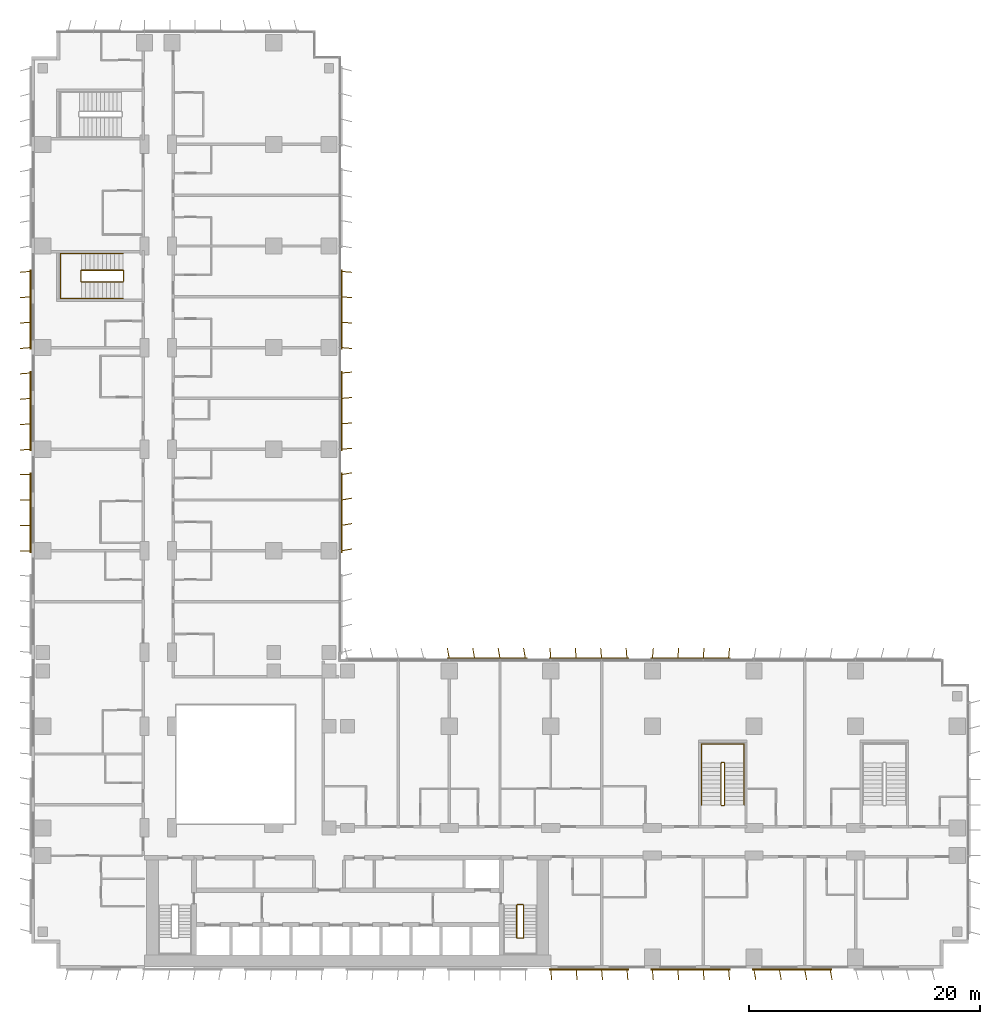
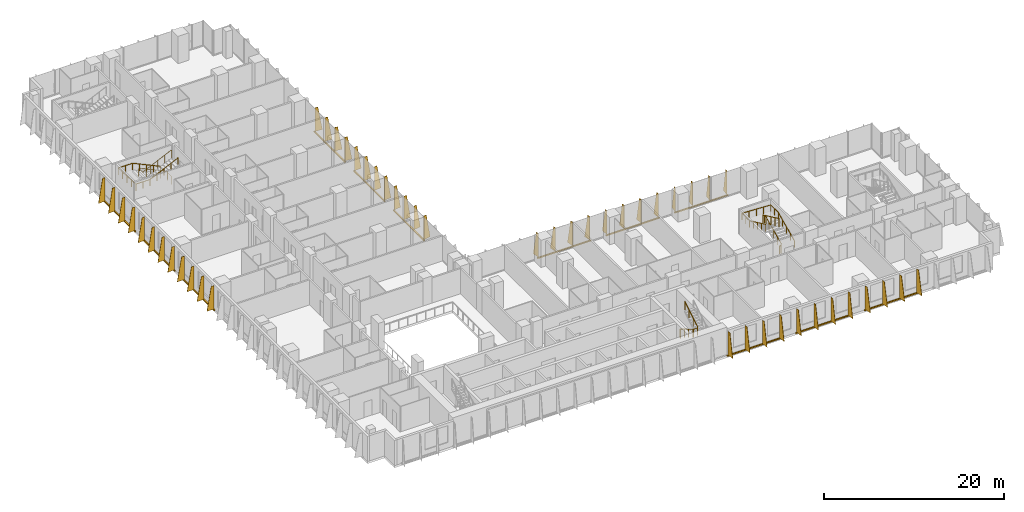
# One storey, part 22 of 24: 12 shading devices, 5 railings.
"""IFC4 building model written with IfcOpenShell, lengths in metres."""

import ifcopenshell
import ifcopenshell.guid

model = None  # the IFC model being written
_history = None  # IfcOwnerHistory: only IFC2X3 demands one
_inside = {}  # id of a spatial element -> (the spatial element, [elements in it])
_under = {}  # id of a project, library or spatial element -> (it, [spatial elements below it])
_declared = {}  # id of a project -> (the project, [libraries it declares])
_typed = {}  # id of a type object -> (the type object, [elements of that type])
_made_of = {}  # id of a material, layer set ... -> (it, [elements and type objects made of it])


def new_model(schema):
    """Start an empty IFC model of exactly this schema.

    Asked for "IFC4X3", IfcOpenShell would pick the latest addendum, in which some entities
    have other attributes; the version numbers below select the first issue.
    IFC2X3 requires an IfcOwnerHistory on every rooted entity: one is made here for all.
    """
    global model, _history
    if schema == "IFC4X3":
        model = ifcopenshell.file(schema_version=(4, 3, 0, 0))
    else:
        model = ifcopenshell.file(schema=schema)
    _inside.clear()
    _under.clear()
    _declared.clear()
    _typed.clear()
    _made_of.clear()
    _history = None
    if model.schema == "IFC2X3":
        org = make("IfcOrganization", Name="unknown")
        user = make(
            "IfcPersonAndOrganization",
            ThePerson=make("IfcPerson", FamilyName="unknown"),
            TheOrganization=org,
        )
        app = make(
            "IfcApplication",
            ApplicationDeveloper=org,
            Version="unknown",
            ApplicationFullName="unknown",
            ApplicationIdentifier="unknown",
        )
        _history = make(
            "IfcOwnerHistory",
            OwningUser=user,
            OwningApplication=app,
            ChangeAction="ADDED",
            CreationDate=0,
        )
    return model


def make(cls, **values):
    """One entity of the class cls with the attributes given. An attribute that is None is left unset."""
    return model.create_entity(
        cls, **{name: value for name, value in values.items() if value is not None}
    )


def rooted(cls, **values):
    """An entity with a GlobalId (a new one), such as an element, a storey or a relation."""
    return make(cls, GlobalId=ifcopenshell.guid.new(), OwnerHistory=_history, **values)


def si_unit(unit_type, name, prefix=None):
    """IfcSIUnit, for example si_unit("LENGTHUNIT", "METRE", prefix="MILLI")."""
    return make("IfcSIUnit", UnitType=unit_type, Prefix=prefix, Name=name)


def assignment(units):
    """IfcUnitAssignment: the units of a project."""
    return None if units is None else make("IfcUnitAssignment", Units=units)


def point(xyz):
    """IfcCartesianPoint."""
    return None if xyz is None else make("IfcCartesianPoint", Coordinates=xyz)


def direction(xyz):
    """IfcDirection."""
    return None if xyz is None else make("IfcDirection", DirectionRatios=xyz)


def frame(location, z_axis=None, x_axis=None):
    """IfcAxis2Placement3D, a coordinate frame: its origin and axes. An axis left out is left unset."""
    return make(
        "IfcAxis2Placement3D",
        Location=point(location),
        Axis=direction(z_axis),
        RefDirection=direction(x_axis),
    )


def frame_2d(location, x_axis=None):
    """IfcAxis2Placement2D, a coordinate frame in the plane: its origin and x axis."""
    return make(
        "IfcAxis2Placement2D", Location=point(location), RefDirection=direction(x_axis)
    )


def origin():
    """The frame at (0, 0, 0) with its axes left unset."""
    return frame((0.0, 0.0, 0.0))


def origin_2d():
    """The frame at (0, 0) in the plane with its x axis left unset."""
    return frame_2d((0.0, 0.0))


def place(relative_to, where):
    """IfcLocalPlacement: puts the frame where relative to a parent placement (None: the world)."""
    return make(
        "IfcLocalPlacement", PlacementRelTo=relative_to, RelativePlacement=where
    )


def context(
    kind, dimensions, precision=None, world=None, true_north=None, identifier=None
):
    """IfcGeometricRepresentationContext, for example the 3D "Model" context."""
    return make(
        "IfcGeometricRepresentationContext",
        ContextIdentifier=identifier,
        ContextType=kind,
        CoordinateSpaceDimension=dimensions,
        Precision=precision,
        WorldCoordinateSystem=world,
        TrueNorth=true_north,
    )


def subcontext(parent, identifier, kind, view, scale=None):
    """IfcGeometricRepresentationSubContext, for example "Body" below "Model"."""
    return make(
        "IfcGeometricRepresentationSubContext",
        ContextIdentifier=identifier,
        ContextType=kind,
        ParentContext=parent,
        TargetScale=scale,
        TargetView=view,
    )


def project(units=None, contexts=None):
    """IfcProject with its units and contexts."""
    return rooted(
        "IfcProject",
        Name="project",
        RepresentationContexts=contexts,
        UnitsInContext=assignment(units),
    )


def spatial(cls, under=None, at=None, **own):
    """A site, building, storey or space (cls), placed at a placement, below another one or the project."""
    s = rooted(cls, ObjectPlacement=at, **own)
    if under is not None:
        _under.setdefault(under.id(), (under, []))[1].append(s)
    return s


def polyline(points):
    """IfcPolyline through the points."""
    return make("IfcPolyline", Points=[point(p) for p in points])


def profile(cls, at=None, kind="AREA", **sizes):
    """A parametric profile (cls). Its sizes go by their IFC names, for example OverallWidth=200.0."""
    return make(cls, ProfileType=kind, Position=at, **sizes)


def rectangle(**sizes):
    """IfcRectangleProfileDef."""
    return profile("IfcRectangleProfileDef", **sizes)


def circle(**sizes):
    """IfcCircleProfileDef."""
    return profile("IfcCircleProfileDef", **sizes)


def outline(outer, holes=None, kind="AREA"):
    """IfcArbitraryClosedProfileDef: a profile drawn as a closed curve; with holes, ...WithVoids."""
    if holes is None:
        return make("IfcArbitraryClosedProfileDef", ProfileType=kind, OuterCurve=outer)
    return make(
        "IfcArbitraryProfileDefWithVoids",
        ProfileType=kind,
        OuterCurve=outer,
        InnerCurves=holes,
    )


def extrude(swept, where, along, depth):
    """IfcExtrudedAreaSolid: the profile swept, set in the frame where, extruded along a direction by depth."""
    return make(
        "IfcExtrudedAreaSolid",
        SweptArea=swept,
        Position=where,
        ExtrudedDirection=direction(along),
        Depth=depth,
    )


def shape(context_of_items, identifier, shape_type, items):
    """IfcShapeRepresentation: the items that make up one representation, for example the "Body"."""
    return make(
        "IfcShapeRepresentation",
        ContextOfItems=context_of_items,
        RepresentationIdentifier=identifier,
        RepresentationType=shape_type,
        Items=items,
    )


def source(mapping_origin, context_of_items, identifier, shape_type, items):
    """IfcRepresentationMap: a shape defined once, which mapped items show again and again."""
    return make(
        "IfcRepresentationMap",
        MappingOrigin=mapping_origin,
        MappedRepresentation=shape(context_of_items, identifier, shape_type, items),
    )


def transform(
    local_origin,
    x_axis=None,
    y_axis=None,
    z_axis=None,
    scale=None,
    scale2=None,
    scale3=None,
    uniform=True,
):
    """IfcCartesianTransformationOperator3D, or its non-uniform kind. x_axis, y_axis, z_axis: its Axis1, 2, 3."""
    if uniform:
        return make(
            "IfcCartesianTransformationOperator3D",
            Axis1=direction(x_axis),
            Axis2=direction(y_axis),
            LocalOrigin=point(local_origin),
            Scale=scale,
            Axis3=direction(z_axis),
        )
    return make(
        "IfcCartesianTransformationOperator3DnonUniform",
        Axis1=direction(x_axis),
        Axis2=direction(y_axis),
        LocalOrigin=point(local_origin),
        Scale=scale,
        Axis3=direction(z_axis),
        Scale2=scale2,
        Scale3=scale3,
    )


def mapped(mapping_source, mapping_target):
    """IfcMappedItem: shows the shape of a source again, moved by a transform."""
    return make(
        "IfcMappedItem", MappingSource=mapping_source, MappingTarget=mapping_target
    )


def material(Name=None, Category=None):
    """IfcMaterial."""
    return make("IfcMaterial", Name=Name, Category=Category)


def layer(
    of_material, thickness, ventilated=None, Name=None, Category=None, Priority=None
):
    """IfcMaterialLayer: one layer of a wall or slab, of a material (None: an air gap)."""
    return make(
        "IfcMaterialLayer",
        Material=of_material,
        LayerThickness=thickness,
        IsVentilated=ventilated,
        Name=Name,
        Category=Category,
        Priority=Priority,
    )


def layer_set(layers, Name=None):
    """IfcMaterialLayerSet."""
    return make("IfcMaterialLayerSet", MaterialLayers=layers, LayerSetName=Name)


def made_of(thing, what):
    """Note that an element or type object is made of a material, layer set ...; save() writes the relation."""
    if what is not None:
        _made_of.setdefault(what.id(), (what, []))[1].append(thing)
    return thing


def type_object(cls, material=None, **own):
    """A type object (cls), such as IfcWallType, which elements share."""
    return made_of(rooted(cls, **own), material)


def element(
    cls,
    number,
    at=None,
    inside=None,
    cuts=None,
    type_object=None,
    material=None,
    context=None,
    identifier="Body",
    shape_type=None,
    held_by="IfcProductDefinitionShape",
    body=None,
    shapes=None,
    **own,
):
    """One element of the class cls, such as IfcWall. Its Tag is "e" and its number.

    at: its placement. inside: the storey or other place that contains it. cuts: it is an
    opening in that element (IfcRelVoidsElement). A single representation is given by context,
    identifier, shape_type and body (its items); several are given by shapes. held_by: the class
    of the entity that holds the representations. save() writes the other relations.
    """
    e = rooted(cls, Tag="e%d" % number, ObjectPlacement=at, **own)
    if body is not None:
        shapes = [shape(context, identifier, shape_type, body)]
    if shapes is not None:
        e.Representation = make(held_by, Representations=shapes)
    if inside is not None:
        _inside.setdefault(inside.id(), (inside, []))[1].append(e)
    if cuts is not None:
        rooted(
            "IfcRelVoidsElement", RelatingBuildingElement=cuts, RelatedOpeningElement=e
        )
    if type_object is not None:
        _typed.setdefault(type_object.id(), (type_object, []))[1].append(e)
    return made_of(e, material)


def aggregate(whole, parts):
    """IfcRelAggregates: a whole, such as a stair, and the parts it consists of."""
    return rooted("IfcRelAggregates", RelatingObject=whole, RelatedObjects=parts)


def save(model, path):
    """Write the relations noted so far, then the file.

    IfcRelAggregates (storeys below a building ...), IfcRelContainedInSpatialStructure (elements
    in a storey), IfcRelDefinesByType, IfcRelAssociatesMaterial and IfcRelDeclares: one each for
    every whole, place, type object, material and project.
    """
    for whole, parts in _under.values():
        aggregate(whole, parts)
    for where, things in _inside.values():
        rooted(
            "IfcRelContainedInSpatialStructure",
            RelatedElements=things,
            RelatingStructure=where,
        )
    for kind, things in _typed.values():
        rooted("IfcRelDefinesByType", RelatedObjects=things, RelatingType=kind)
    for what, things in _made_of.values():
        rooted("IfcRelAssociatesMaterial", RelatedObjects=things, RelatingMaterial=what)
    for by, libraries in _declared.values():
        rooted("IfcRelDeclares", RelatingContext=by, RelatedDefinitions=libraries)
    model.write(path)


model = new_model("IFC4")

# Units and contexts
model_context = context("Model", 3, precision=1e-05, world=origin(), true_north=direction((0.0, 1.0)))
body_context = subcontext(model_context, "Body", "Model", "MODEL_VIEW")
ifc_project = project(units=[si_unit("LENGTHUNIT", "METRE"), si_unit("AREAUNIT", "SQUARE_METRE"), si_unit("VOLUMEUNIT", "CUBIC_METRE"), si_unit("PLANEANGLEUNIT", "RADIAN"), si_unit("MASSUNIT", "GRAM", prefix="KILO")], contexts=[model_context])

# Site, building, storey
site_placement = place(None, origin())
site = spatial("IfcSite", under=ifc_project, at=site_placement, CompositionType="ELEMENT")
building_placement = place(site_placement, origin())
building = spatial("IfcBuilding", under=site, at=building_placement, Name="Kemantara Hotel Tower", CompositionType="ELEMENT")
storey_placement = place(building_placement, frame((0.0, 0.0, 59.89990234375)))
storey = spatial("IfcBuildingStorey", under=building, at=storey_placement, Name="L13", CompositionType="ELEMENT", Elevation=59.89990234375)

# Railings
ifc_material_1 = material(Name="Stainless steel balustrade", Category="steel")
railing_type_1 = type_object("IfcRailingType", Name="Stair guard 1100 mm", PredefinedType="GUARDRAIL", material=ifc_material_1)
railing_1_placement = place(storey_placement, frame((42.64990234375, 5.5, 3.7001953125)))
element("IfcRailing", 1, at=railing_1_placement, inside=storey, type_object=railing_type_1, Name="L13 ST2 stair guard 1", PredefinedType="GUARDRAIL", context=body_context, shape_type="SweptSolid", body=[
    extrude(circle(Radius=0.02392578125, at=origin_2d()), frame((0.0, 0.0, 1.076171875), z_axis=(0.0, -0.857242210791, -0.514913383045), x_axis=(1.0, 0.0, 0.0)), (0.0, 0.0, 1.0), 3.266357421875),
    extrude(circle(Radius=0.02392578125, at=origin_2d()), frame((0.0, -2.800048828125, -0.60595703125), z_axis=(-0.273006030465, -0.27434429532, -0.922064485248), x_axis=(0.708833529934, -0.705375805398, 0.0)), (0.0, 0.0, 1.0), 0.182373046875),
    extrude(circle(Radius=0.02392578125, at=origin_2d()), frame((-0.0498046875, -2.85009765625, -0.77392578125), z_axis=(-1.0, 0.0, 0.0), x_axis=(0.0, -1.0, 0.0)), (0.0, 0.0, 1.0), 0.5),
    extrude(circle(Radius=0.02392578125, at=origin_2d()), frame((-0.5498046875, -2.85009765625, -0.77392578125), z_axis=(-0.707106781187, 0.707106781187, 0.0), x_axis=(-0.707106781187, -0.707106781187, 0.0)), (0.0, 0.0, 1.0), 0.07080078125),
    extrude(circle(Radius=0.02392578125, at=origin_2d()), frame((-0.599853515625, -2.800048828125, -0.77392578125), z_axis=(0.0, 0.857242210791, -0.514913383045), x_axis=(-1.0, 0.0, 0.0)), (0.0, 0.0, 1.0), 3.266357421875),
    extrude(circle(Radius=0.02392578125, at=origin_2d()), frame((-0.599853515625, 0.0, -2.4560546875), z_axis=(0.274243871929, 0.274243871929, -0.92172696468), x_axis=(-0.707106781187, 0.707106781187, 0.0)), (0.0, 0.0, 1.0), 0.1826171875),
    extrude(circle(Radius=0.02392578125, at=origin_2d()), frame((-0.5498046875, 0.050048828125, -2.6240234375), z_axis=(1.0, 0.0, 0.0), x_axis=(0.0, 1.0, 0.0)), (0.0, 0.0, 1.0), 0.5),
    extrude(circle(Radius=0.02099609375, at=origin_2d()), origin(), (0.0, 0.0, 1.0), 1.052001953125),
    extrude(circle(Radius=0.02099609375, at=origin_2d()), frame((0.0, -0.933349609375, -0.560546875)), (0.0, 0.0, 1.0), 1.052001953125),
    extrude(circle(Radius=0.02099609375, at=origin_2d()), frame((0.0, -1.86669921875, -1.121337890625)), (0.0, 0.0, 1.0), 1.052001953125),
    extrude(circle(Radius=0.02099609375, at=origin_2d()), frame((0.0, -2.800048828125, -1.681884765625)), (0.0, 0.0, 1.0), 1.052001953125),
    extrude(circle(Radius=0.02099609375, at=origin_2d()), frame((-0.0498046875, -2.85009765625, -1.85009765625)), (0.0, 0.0, 1.0), 1.052001953125),
    extrude(circle(Radius=0.02099609375, at=origin_2d()), frame((-0.5498046875, -2.85009765625, -1.85009765625)), (0.0, 0.0, 1.0), 1.052001953125),
    extrude(circle(Radius=0.02099609375, at=origin_2d()), frame((-0.599853515625, -2.800048828125, -1.85009765625)), (0.0, 0.0, 1.0), 1.052001953125),
    extrude(circle(Radius=0.02099609375, at=origin_2d()), frame((-0.599853515625, -1.86669921875, -2.41064453125)), (0.0, 0.0, 1.0), 1.052001953125),
    extrude(circle(Radius=0.02099609375, at=origin_2d()), frame((-0.599853515625, -0.933349609375, -2.971435546875)), (0.0, 0.0, 1.0), 1.052001953125),
    extrude(circle(Radius=0.02099609375, at=origin_2d()), frame((-0.599853515625, 0.0, -3.531982421875)), (0.0, 0.0, 1.0), 1.052001953125),
    extrude(circle(Radius=0.02099609375, at=origin_2d()), frame((-0.5498046875, 0.050048828125, -3.7001953125)), (0.0, 0.0, 1.0), 1.052001953125),
    extrude(circle(Radius=0.02099609375, at=origin_2d()), frame((-0.0498046875, 0.050048828125, -3.7001953125)), (0.0, 0.0, 1.0), 1.052001953125),
])
railing_2_placement = place(storey_placement, frame((59.75, 14.199951171875, 3.7001953125)))
element("IfcRailing", 2, at=railing_2_placement, inside=storey, type_object=railing_type_1, Name="L13 ST3 stair guard 1", PredefinedType="GUARDRAIL", context=body_context, shape_type="SweptSolid", body=[
    extrude(circle(Radius=0.02392578125, at=origin_2d()), frame((0.0, 0.0, 1.076171875), z_axis=(0.0, 0.906005689286, -0.423265508849), x_axis=(-1.0, 0.0, 0.0)), (0.0, 0.0, 1.0), 3.9736328125),
    extrude(circle(Radius=0.02392578125, at=origin_2d()), frame((0.0, 3.60009765625, -0.60595703125), z_axis=(0.274243871929, 0.274243871929, -0.92172696468), x_axis=(-0.707106781187, 0.707106781187, 0.0)), (0.0, 0.0, 1.0), 0.1826171875),
    extrude(circle(Radius=0.02392578125, at=origin_2d()), frame((0.050048828125, 3.650146484375, -0.77392578125), z_axis=(1.0, 0.0, 0.0), x_axis=(0.0, 1.0, 0.0)), (0.0, 0.0, 1.0), 0.199951171875),
    extrude(circle(Radius=0.02392578125, at=origin_2d()), frame((0.25, 3.650146484375, -0.77392578125), z_axis=(0.707106781187, -0.707106781187, 0.0), x_axis=(0.707106781187, 0.707106781187, 0.0)), (0.0, 0.0, 1.0), 0.07080078125),
    extrude(circle(Radius=0.02392578125, at=origin_2d()), frame((0.300048828125, 3.60009765625, -0.77392578125), z_axis=(0.0, -0.906005689286, -0.423265508849), x_axis=(1.0, 0.0, 0.0)), (0.0, 0.0, 1.0), 3.9736328125),
    extrude(circle(Radius=0.02392578125, at=origin_2d()), frame((0.300048828125, 0.0, -2.4560546875), z_axis=(-0.274243871929, -0.274243871929, -0.92172696468), x_axis=(0.707106781187, -0.707106781187, 0.0)), (0.0, 0.0, 1.0), 0.1826171875),
    extrude(circle(Radius=0.02392578125, at=origin_2d()), frame((0.25, -0.050048828125, -2.6240234375), z_axis=(-1.0, 0.0, 0.0), x_axis=(0.0, -1.0, 0.0)), (0.0, 0.0, 1.0), 0.199951171875),
    extrude(circle(Radius=0.02099609375, at=origin_2d()), origin(), (0.0, 0.0, 1.0), 1.052001953125),
    extrude(circle(Radius=0.02099609375, at=origin_2d()), frame((0.0, 0.89990234375, -0.42041015625)), (0.0, 0.0, 1.0), 1.052001953125),
    extrude(circle(Radius=0.02099609375, at=origin_2d()), frame((0.0, 1.800048828125, -0.8408203125)), (0.0, 0.0, 1.0), 1.052001953125),
    extrude(circle(Radius=0.02099609375, at=origin_2d()), frame((0.0, 2.7001953125, -1.261474609375)), (0.0, 0.0, 1.0), 1.052001953125),
    extrude(circle(Radius=0.02099609375, at=origin_2d()), frame((0.0, 3.60009765625, -1.681884765625)), (0.0, 0.0, 1.0), 1.052001953125),
    extrude(circle(Radius=0.02099609375, at=origin_2d()), frame((0.050048828125, 3.650146484375, -1.85009765625)), (0.0, 0.0, 1.0), 1.052001953125),
    extrude(circle(Radius=0.02099609375, at=origin_2d()), frame((0.25, 3.650146484375, -1.85009765625)), (0.0, 0.0, 1.0), 1.052001953125),
    extrude(circle(Radius=0.02099609375, at=origin_2d()), frame((0.300048828125, 3.60009765625, -1.85009765625)), (0.0, 0.0, 1.0), 1.052001953125),
    extrude(circle(Radius=0.02099609375, at=origin_2d()), frame((0.300048828125, 2.7001953125, -2.2705078125)), (0.0, 0.0, 1.0), 1.052001953125),
    extrude(circle(Radius=0.02099609375, at=origin_2d()), frame((0.300048828125, 1.800048828125, -2.69091796875)), (0.0, 0.0, 1.0), 1.052001953125),
    extrude(circle(Radius=0.02099609375, at=origin_2d()), frame((0.300048828125, 0.89990234375, -3.111572265625)), (0.0, 0.0, 1.0), 1.052001953125),
    extrude(circle(Radius=0.02099609375, at=origin_2d()), frame((0.300048828125, 0.0, -3.531982421875)), (0.0, 0.0, 1.0), 1.052001953125),
    extrude(circle(Radius=0.02099609375, at=origin_2d()), frame((0.25, -0.050048828125, -3.7001953125)), (0.0, 0.0, 1.0), 1.052001953125),
    extrude(circle(Radius=0.02099609375, at=origin_2d()), frame((0.050048828125, -0.050048828125, -3.7001953125)), (0.0, 0.0, 1.0), 1.052001953125),
])
railing_3_placement = place(storey_placement, frame((7.949951171875, 59.5, 3.7001953125)))
element("IfcRailing", 3, at=railing_3_placement, inside=storey, type_object=railing_type_1, Name="L13 ST4 stair guard 1", PredefinedType="GUARDRAIL", context=body_context, shape_type="SweptSolid", body=[
    extrude(circle(Radius=0.02392578125, at=origin_2d()), frame((0.0, 0.0, 1.076171875), z_axis=(-0.905994681025, 0.0, -0.423289071386), x_axis=(0.0, -1.0, 0.0)), (0.0, 0.0, 1.0), 3.973388671875),
    extrude(circle(Radius=0.02392578125, at=origin_2d()), frame((-3.599853515625, 0.0, -0.60595703125), z_axis=(-0.274243871929, 0.274243871929, -0.92172696468), x_axis=(-0.707106781187, -0.707106781187, 0.0)), (0.0, 0.0, 1.0), 0.1826171875),
    extrude(circle(Radius=0.02392578125, at=origin_2d()), frame((-3.64990234375, 0.050048828125, -0.77392578125), z_axis=(0.0, 1.0, 0.0), x_axis=(-1.0, 0.0, 0.0)), (0.0, 0.0, 1.0), 0.89990234375),
    extrude(circle(Radius=0.02392578125, at=origin_2d()), frame((-3.64990234375, 0.949951171875, -0.77392578125), z_axis=(0.707106781187, 0.707106781187, 0.0), x_axis=(-0.707106781187, 0.707106781187, 0.0)), (0.0, 0.0, 1.0), 0.07080078125),
    extrude(circle(Radius=0.02392578125, at=origin_2d()), frame((-3.599853515625, 1.0, -0.77392578125), z_axis=(0.905994681025, 0.0, -0.423289071386), x_axis=(0.0, 1.0, 0.0)), (0.0, 0.0, 1.0), 3.973388671875),
    extrude(circle(Radius=0.02392578125, at=origin_2d()), frame((0.0, 1.0, -2.4560546875), z_axis=(0.274243871929, -0.274243871929, -0.92172696468), x_axis=(0.707106781187, 0.707106781187, 0.0)), (0.0, 0.0, 1.0), 0.1826171875),
    extrude(circle(Radius=0.02392578125, at=origin_2d()), frame((0.050048828125, 0.949951171875, -2.6240234375), z_axis=(0.0, -1.0, 0.0), x_axis=(1.0, 0.0, 0.0)), (0.0, 0.0, 1.0), 0.89990234375),
    extrude(circle(Radius=0.02099609375, at=origin_2d()), origin(), (0.0, 0.0, 1.0), 1.052001953125),
    extrude(circle(Radius=0.02099609375, at=origin_2d()), frame((-0.89990234375, 0.0, -0.42041015625)), (0.0, 0.0, 1.0), 1.052001953125),
    extrude(circle(Radius=0.02099609375, at=origin_2d()), frame((-1.7998046875, 0.0, -0.8408203125)), (0.0, 0.0, 1.0), 1.052001953125),
    extrude(circle(Radius=0.02099609375, at=origin_2d()), frame((-2.699951171875, 0.0, -1.261474609375)), (0.0, 0.0, 1.0), 1.052001953125),
    extrude(circle(Radius=0.02099609375, at=origin_2d()), frame((-3.599853515625, 0.0, -1.681884765625)), (0.0, 0.0, 1.0), 1.052001953125),
    extrude(circle(Radius=0.02099609375, at=origin_2d()), frame((-3.64990234375, 0.050048828125, -1.85009765625)), (0.0, 0.0, 1.0), 1.052001953125),
    extrude(circle(Radius=0.02099609375, at=origin_2d()), frame((-3.64990234375, 0.949951171875, -1.85009765625)), (0.0, 0.0, 1.0), 1.052001953125),
    extrude(circle(Radius=0.02099609375, at=origin_2d()), frame((-3.599853515625, 1.0, -1.85009765625)), (0.0, 0.0, 1.0), 1.052001953125),
    extrude(circle(Radius=0.02099609375, at=origin_2d()), frame((-2.699951171875, 1.0, -2.2705078125)), (0.0, 0.0, 1.0), 1.052001953125),
    extrude(circle(Radius=0.02099609375, at=origin_2d()), frame((-1.7998046875, 1.0, -2.69091796875)), (0.0, 0.0, 1.0), 1.052001953125),
    extrude(circle(Radius=0.02099609375, at=origin_2d()), frame((-0.89990234375, 1.0, -3.111572265625)), (0.0, 0.0, 1.0), 1.052001953125),
    extrude(circle(Radius=0.02099609375, at=origin_2d()), frame((0.0, 1.0, -3.531982421875)), (0.0, 0.0, 1.0), 1.052001953125),
    extrude(circle(Radius=0.02099609375, at=origin_2d()), frame((0.050048828125, 0.949951171875, -3.7001953125)), (0.0, 0.0, 1.0), 1.052001953125),
    extrude(circle(Radius=0.02099609375, at=origin_2d()), frame((0.050048828125, 0.050048828125, -3.7001953125)), (0.0, 0.0, 1.0), 1.052001953125),
])
railing_type_2 = type_object("IfcRailingType", Name="Stair handrail 900 mm", PredefinedType="HANDRAIL", material=ifc_material_1)
railing_4_placement = place(storey_placement, frame((61.75, 14.199951171875, 0.168212890625)))
element("IfcRailing", 4, at=railing_4_placement, inside=storey, type_object=railing_type_2, Name="L13 ST3 stair handrail 1", PredefinedType="HANDRAIL", context=body_context, shape_type="SweptSolid", body=[
    extrude(circle(Radius=0.02392578125, at=origin_2d()), frame((0.0, 0.0, 0.8759765625), z_axis=(0.0, 0.906005689286, 0.423265508849), x_axis=(-1.0, 0.0, 0.0)), (0.0, 0.0, 1.0), 3.9736328125),
    extrude(circle(Radius=0.02392578125, at=origin_2d()), frame((0.0, 3.60009765625, 2.5576171875), z_axis=(0.0, 1.0, 0.0), x_axis=(-1.0, 0.0, 0.0)), (0.0, 0.0, 1.0), 1.679931640625),
    extrude(circle(Radius=0.02392578125, at=origin_2d()), frame((0.0, 5.280029296875, 2.5576171875), z_axis=(-0.998968132438, 0.0, 0.045416631029), x_axis=(0.0, -1.0, 0.0)), (0.0, 0.0, 1.0), 3.703857421875),
    extrude(circle(Radius=0.02392578125, at=origin_2d()), frame((-3.699951171875, 5.280029296875, 2.72607421875), z_axis=(0.0, -1.0, 0.0), x_axis=(1.0, 0.0, 0.0)), (0.0, 0.0, 1.0), 1.679931640625),
    extrude(circle(Radius=0.02392578125, at=origin_2d()), frame((-3.699951171875, 3.60009765625, 2.72607421875), z_axis=(0.0, -0.906005689286, 0.423265508849), x_axis=(1.0, 0.0, 0.0)), (0.0, 0.0, 1.0), 3.9736328125),
    extrude(circle(Radius=0.02099609375, at=origin_2d()), origin(), (0.0, 0.0, 1.0), 0.851806640625),
    extrude(circle(Radius=0.02099609375, at=origin_2d()), frame((0.0, 0.89990234375, 0.42041015625)), (0.0, 0.0, 1.0), 0.851806640625),
    extrude(circle(Radius=0.02099609375, at=origin_2d()), frame((0.0, 1.800048828125, 0.8408203125)), (0.0, 0.0, 1.0), 0.851806640625),
    extrude(circle(Radius=0.02099609375, at=origin_2d()), frame((0.0, 2.7001953125, 1.261474609375)), (0.0, 0.0, 1.0), 0.851806640625),
    extrude(circle(Radius=0.02099609375, at=origin_2d()), frame((0.0, 3.60009765625, 1.681884765625)), (0.0, 0.0, 1.0), 0.851806640625),
    extrude(circle(Radius=0.02099609375, at=origin_2d()), frame((0.0, 4.43994140625, 1.681884765625)), (0.0, 0.0, 1.0), 0.851806640625),
    extrude(circle(Radius=0.02099609375, at=origin_2d()), frame((0.0, 5.280029296875, 1.681884765625)), (0.0, 0.0, 1.0), 0.851806640625),
    extrude(circle(Radius=0.02099609375, at=origin_2d()), frame((-0.925048828125, 5.280029296875, 1.723876953125)), (0.0, 0.0, 1.0), 0.851806640625),
    extrude(circle(Radius=0.02099609375, at=origin_2d()), frame((-1.85009765625, 5.280029296875, 1.76611328125)), (0.0, 0.0, 1.0), 0.851806640625),
    extrude(circle(Radius=0.02099609375, at=origin_2d()), frame((-2.77490234375, 5.280029296875, 1.80810546875)), (0.0, 0.0, 1.0), 0.851806640625),
    extrude(circle(Radius=0.02099609375, at=origin_2d()), frame((-3.699951171875, 5.280029296875, 1.85009765625)), (0.0, 0.0, 1.0), 0.851806640625),
    extrude(circle(Radius=0.02099609375, at=origin_2d()), frame((-3.699951171875, 4.43994140625, 1.85009765625)), (0.0, 0.0, 1.0), 0.851806640625),
    extrude(circle(Radius=0.02099609375, at=origin_2d()), frame((-3.699951171875, 3.60009765625, 1.85009765625)), (0.0, 0.0, 1.0), 0.851806640625),
    extrude(circle(Radius=0.02099609375, at=origin_2d()), frame((-3.699951171875, 2.7001953125, 2.2705078125)), (0.0, 0.0, 1.0), 0.851806640625),
    extrude(circle(Radius=0.02099609375, at=origin_2d()), frame((-3.699951171875, 1.800048828125, 2.69091796875)), (0.0, 0.0, 1.0), 0.851806640625),
    extrude(circle(Radius=0.02099609375, at=origin_2d()), frame((-3.699951171875, 0.89990234375, 3.111572265625)), (0.0, 0.0, 1.0), 0.851806640625),
    extrude(circle(Radius=0.02099609375, at=origin_2d()), frame((-3.699951171875, 0.0, 3.531982421875)), (0.0, 0.0, 1.0), 0.851806640625),
])
railing_5_placement = place(storey_placement, frame((7.949951171875, 61.949951171875, 0.168212890625)))
element("IfcRailing", 5, at=railing_5_placement, inside=storey, type_object=railing_type_2, Name="L13 ST4 stair handrail 1", PredefinedType="HANDRAIL", context=body_context, shape_type="SweptSolid", body=[
    extrude(circle(Radius=0.02392578125, at=origin_2d()), frame((0.0, 0.0, 0.8759765625), z_axis=(-0.905994681025, 0.0, 0.423289071386), x_axis=(0.0, -1.0, 0.0)), (0.0, 0.0, 1.0), 3.973388671875),
    extrude(circle(Radius=0.02392578125, at=origin_2d()), frame((-3.599853515625, 0.0, 2.5576171875), z_axis=(-1.0, 0.0, 0.0), x_axis=(0.0, -1.0, 0.0)), (0.0, 0.0, 1.0), 1.830078125),
    extrude(circle(Radius=0.02392578125, at=origin_2d()), frame((-5.429931640625, 0.0, 2.5576171875), z_axis=(0.0, -0.999071085748, 0.043092523981), x_axis=(1.0, 0.0, 0.0)), (0.0, 0.0, 1.0), 3.903564453125),
    extrude(circle(Radius=0.02392578125, at=origin_2d()), frame((-5.429931640625, -3.89990234375, 2.72607421875), z_axis=(1.0, 0.0, 0.0), x_axis=(0.0, 1.0, 0.0)), (0.0, 0.0, 1.0), 1.830078125),
    extrude(circle(Radius=0.02392578125, at=origin_2d()), frame((-3.599853515625, -3.89990234375, 2.72607421875), z_axis=(0.905994681025, 0.0, 0.423289071386), x_axis=(0.0, 1.0, 0.0)), (0.0, 0.0, 1.0), 3.973388671875),
    extrude(circle(Radius=0.02099609375, at=origin_2d()), origin(), (0.0, 0.0, 1.0), 0.851806640625),
    extrude(circle(Radius=0.02099609375, at=origin_2d()), frame((-0.89990234375, 0.0, 0.42041015625)), (0.0, 0.0, 1.0), 0.851806640625),
    extrude(circle(Radius=0.02099609375, at=origin_2d()), frame((-1.7998046875, 0.0, 0.8408203125)), (0.0, 0.0, 1.0), 0.851806640625),
    extrude(circle(Radius=0.02099609375, at=origin_2d()), frame((-2.699951171875, 0.0, 1.261474609375)), (0.0, 0.0, 1.0), 0.851806640625),
    extrude(circle(Radius=0.02099609375, at=origin_2d()), frame((-3.599853515625, 0.0, 1.681884765625)), (0.0, 0.0, 1.0), 0.851806640625),
    extrude(circle(Radius=0.02099609375, at=origin_2d()), frame((-4.514892578125, 0.0, 1.681884765625)), (0.0, 0.0, 1.0), 0.851806640625),
    extrude(circle(Radius=0.02099609375, at=origin_2d()), frame((-5.429931640625, 0.0, 1.681884765625)), (0.0, 0.0, 1.0), 0.851806640625),
    extrude(circle(Radius=0.02099609375, at=origin_2d()), frame((-5.429931640625, -0.97509765625, 1.723876953125)), (0.0, 0.0, 1.0), 0.851806640625),
    extrude(circle(Radius=0.02099609375, at=origin_2d()), frame((-5.429931640625, -1.949951171875, 1.76611328125)), (0.0, 0.0, 1.0), 0.851806640625),
    extrude(circle(Radius=0.02099609375, at=origin_2d()), frame((-5.429931640625, -2.9248046875, 1.80810546875)), (0.0, 0.0, 1.0), 0.851806640625),
    extrude(circle(Radius=0.02099609375, at=origin_2d()), frame((-5.429931640625, -3.89990234375, 1.85009765625)), (0.0, 0.0, 1.0), 0.851806640625),
    extrude(circle(Radius=0.02099609375, at=origin_2d()), frame((-4.514892578125, -3.89990234375, 1.85009765625)), (0.0, 0.0, 1.0), 0.851806640625),
    extrude(circle(Radius=0.02099609375, at=origin_2d()), frame((-3.599853515625, -3.89990234375, 1.85009765625)), (0.0, 0.0, 1.0), 0.851806640625),
    extrude(circle(Radius=0.02099609375, at=origin_2d()), frame((-2.699951171875, -3.89990234375, 2.2705078125)), (0.0, 0.0, 1.0), 0.851806640625),
    extrude(circle(Radius=0.02099609375, at=origin_2d()), frame((-1.7998046875, -3.89990234375, 2.69091796875)), (0.0, 0.0, 1.0), 0.851806640625),
    extrude(circle(Radius=0.02099609375, at=origin_2d()), frame((-0.89990234375, -3.89990234375, 3.111572265625)), (0.0, 0.0, 1.0), 0.851806640625),
    extrude(circle(Radius=0.02099609375, at=origin_2d()), frame((0.0, -3.89990234375, 3.531982421875)), (0.0, 0.0, 1.0), 0.851806640625),
])

# Shading devices
ifc_material_2 = material(Name="Perforated aluminium plate 4 mm bronze anodised", Category="aluminium")
ifc_layer_1 = layer(ifc_material_2, 0.0400390625)
ifc_layer_set_1 = layer_set([ifc_layer_1], Name="Perforated aluminium plate 4 mm bronze anodised")
shading_device_type_1 = type_object("IfcShadingDeviceType", Name="SCREEN FIN CASSETTE, 4 BLADES AT -5.0 DEG, 3200 HIGH", PredefinedType="USERDEFINED", material=ifc_layer_set_1)
shared_shape_1 = source(origin(), body_context, "Body", "SweptSolid", [
    extrude(rectangle(XDim=6.89990234375, YDim=0.14990234375, at=origin_2d()), frame((3.300048828125, -0.074951171875, -0.14990234375), z_axis=(0.0, 0.0, 1.0), x_axis=(1.0, 0.0, 0.0)), (0.0, 0.0, 1.0), 0.14990234375),
    extrude(outline(polyline([(0.0, 0.0), (0.89990234375, 0.0), (0.35009765625, 3.199951171875), (0.0, 3.199951171875), (0.0, 0.0)])), frame((0.02001953125, -0.07666015625, 0.0), z_axis=(-0.996376129781, 0.085056498884, 0.0), x_axis=(-0.085056498884, -0.996376129781, 0.0)), (0.0, 0.0, 1.0), 0.040283203125),
    extrude(outline(polyline([(0.0, 0.0), (0.89990234375, 0.0), (0.35009765625, 3.199951171875), (0.0, 3.199951171875), (0.0, 0.0)])), frame((2.219970703125, -0.07666015625, 0.0), z_axis=(-0.996331773833, 0.085574508182, 0.0), x_axis=(-0.085574508182, -0.996331773833, 0.0)), (0.0, 0.0, 1.0), 0.0400390625),
    extrude(outline(polyline([(0.0, 0.0), (0.89990234375, 0.0), (0.35009765625, 3.199951171875), (0.0, 3.199951171875), (0.0, 0.0)])), frame((4.419921875, -0.07666015625, 0.0), z_axis=(-0.996331773833, 0.085574508182, 0.0), x_axis=(-0.085574508182, -0.996331773833, 0.0)), (0.0, 0.0, 1.0), 0.0400390625),
    extrude(outline(polyline([(0.0, 0.0), (0.89990234375, 0.0), (0.35009765625, 3.199951171875), (0.0, 3.199951171875), (0.0, 0.0)])), frame((6.619873046875, -0.07666015625, 0.0), z_axis=(-0.996331773833, 0.085574508182, 0.0), x_axis=(-0.085574508182, -0.996331773833, 0.0)), (0.0, 0.0, 1.0), 0.0400390625),
])
for number, where, z_axis, x_axis, name in (
    (6, (60.39990234375, 26.800048828125, 0.10009765625), (0.0, 0.0, 1.0), (-1.0, 0.0, 0.0), "SCREEN FIN CASSETTE L13 T1-R07-3"),
    (7, (26.800048828125, 53.800048828125, 0.10009765625), (0.0, 0.0, 1.0), (0.0, 1.0, 0.0), "SCREEN FIN CASSETTE L13 T1-R08-4"),
):
    element("IfcShadingDevice", number, at=place(storey_placement, frame(where, z_axis=z_axis, x_axis=x_axis)), inside=storey, type_object=shading_device_type_1, Name=name, ObjectType="SCREEN FIN", PredefinedType="USERDEFINED", context=body_context, shape_type="MappedRepresentation", body=[
        mapped(shared_shape_1, transform((0.0, 0.0, 0.0))),
    ])
ifc_layer_2 = layer(ifc_material_2, 0.0400390625)
ifc_layer_set_2 = layer_set([ifc_layer_2], Name="Perforated aluminium plate 4 mm bronze anodised")
shading_device_type_2 = type_object("IfcShadingDeviceType", Name="SCREEN FIN CASSETTE, 4 BLADES AT +0.0 DEG, 3200 HIGH", PredefinedType="USERDEFINED", material=ifc_layer_set_2)
shared_shape_2 = source(origin(), body_context, "Body", "SweptSolid", [
    extrude(rectangle(XDim=6.89990234375, YDim=0.14990234375, at=origin_2d()), frame((3.300048828125, -0.074951171875, -0.14990234375), z_axis=(0.0, 0.0, 1.0), x_axis=(1.0, 0.0, 0.0)), (0.0, 0.0, 1.0), 0.14990234375),
    extrude(outline(polyline([(0.0, 0.0), (0.89990234375, 0.0), (0.35009765625, 3.199951171875), (0.0, 3.199951171875), (0.0, 0.0)])), frame((0.02001953125, -0.074951171875, 0.0), z_axis=(-1.0, 0.0, 0.0), x_axis=(0.0, -1.0, 0.0)), (0.0, 0.0, 1.0), 0.0400390625),
    extrude(outline(polyline([(0.0, 0.0), (0.89990234375, 0.0), (0.35009765625, 3.199951171875), (0.0, 3.199951171875), (0.0, 0.0)])), frame((2.219970703125, -0.074951171875, 0.0), z_axis=(-1.0, 0.0, 0.0), x_axis=(0.0, -1.0, 0.0)), (0.0, 0.0, 1.0), 0.0400390625),
    extrude(outline(polyline([(0.0, 0.0), (0.89990234375, 0.0), (0.35009765625, 3.199951171875), (0.0, 3.199951171875), (0.0, 0.0)])), frame((4.419921875, -0.074951171875, 0.0), z_axis=(-1.0, 0.0, 0.0), x_axis=(0.0, -1.0, 0.0)), (0.0, 0.0, 1.0), 0.0400390625),
    extrude(outline(polyline([(0.0, 0.0), (0.89990234375, 0.0), (0.35009765625, 3.199951171875), (0.0, 3.199951171875), (0.0, 0.0)])), frame((6.6201171875, -0.074951171875, 0.0), z_axis=(-1.0, 0.0, 0.0), x_axis=(0.0, -1.0, 0.0)), (0.0, 0.0, 1.0), 0.0400390625),
])
shading_device_placement = place(storey_placement, frame((0.0, 42.800048828125, 0.10009765625), z_axis=(0.0, 0.0, 1.0), x_axis=(0.0, -1.0, 0.0)))
element("IfcShadingDevice", 8, at=shading_device_placement, inside=storey, type_object=shading_device_type_2, Name="SCREEN FIN CASSETTE L13 T1-R14-5", ObjectType="SCREEN FIN", PredefinedType="USERDEFINED", context=body_context, shape_type="MappedRepresentation", body=[
    mapped(shared_shape_2, transform((0.0, 0.0, 0.0))),
])
ifc_layer_3 = layer(ifc_material_2, 0.0400390625)
ifc_layer_set_3 = layer_set([ifc_layer_3], Name="Perforated aluminium plate 4 mm bronze anodised")
shading_device_type_3 = type_object("IfcShadingDeviceType", Name="SCREEN FIN CASSETTE, 4 BLADES AT +5.0 DEG, 3200 HIGH", PredefinedType="USERDEFINED", material=ifc_layer_set_3)
shared_shape_3 = source(origin(), body_context, "Body", "SweptSolid", [
    extrude(rectangle(XDim=6.89990234375, YDim=0.14990234375, at=origin_2d()), frame((3.300048828125, -0.074951171875, -0.14990234375), z_axis=(0.0, 0.0, 1.0), x_axis=(1.0, 0.0, 0.0)), (0.0, 0.0, 1.0), 0.14990234375),
    extrude(outline(polyline([(0.0, 0.0), (0.89990234375, 0.0), (0.35009765625, 3.199951171875), (0.0, 3.199951171875), (0.0, 0.0)])), frame((0.02001953125, -0.0732421875, 0.0), z_axis=(-0.996376129781, -0.085056498884, 0.0), x_axis=(0.085056498884, -0.996376129781, 0.0)), (0.0, 0.0, 1.0), 0.040283203125),
    extrude(outline(polyline([(0.0, 0.0), (0.89990234375, 0.0), (0.35009765625, 3.199951171875), (0.0, 3.199951171875), (0.0, 0.0)])), frame((2.219970703125, -0.0732421875, 0.0), z_axis=(-0.996331773833, -0.085574508182, 0.0), x_axis=(0.085574508182, -0.996331773833, 0.0)), (0.0, 0.0, 1.0), 0.0400390625),
    extrude(outline(polyline([(0.0, 0.0), (0.89990234375, 0.0), (0.35009765625, 3.199951171875), (0.0, 3.199951171875), (0.0, 0.0)])), frame((4.419921875, -0.0732421875, 0.0), z_axis=(-0.996331773833, -0.085574508182, 0.0), x_axis=(0.085574508182, -0.996331773833, 0.0)), (0.0, 0.0, 1.0), 0.0400390625),
    extrude(outline(polyline([(0.0, 0.0), (0.89990234375, 0.0), (0.35009765625, 3.199951171875), (0.0, 3.199951171875), (0.0, 0.0)])), frame((6.619873046875, -0.0732421875, 0.0), z_axis=(-0.996331773833, -0.085574508182, 0.0), x_axis=(0.085574508182, -0.996331773833, 0.0)), (0.0, 0.0, 1.0), 0.0400390625),
])
for number, where, z_axis, x_axis, name in (
    (9, (45.0, 0.0, 0.10009765625), (0.0, 0.0, 1.0), (1.0, 0.0, 0.0), "SCREEN FIN CASSETTE L13 T1-R01-6"),
    (10, (53.800048828125, 0.0, 0.10009765625), (0.0, 0.0, 1.0), (1.0, 0.0, 0.0), "SCREEN FIN CASSETTE L13 T1-R01-7"),
    (11, (51.60009765625, 26.800048828125, 0.10009765625), (0.0, 0.0, 1.0), (-1.0, 0.0, 0.0), "SCREEN FIN CASSETTE L13 T1-R07-4"),
    (12, (26.800048828125, 45.0, 0.10009765625), (0.0, 0.0, 1.0), (0.0, 1.0, 0.0), "SCREEN FIN CASSETTE L13 T1-R08-3"),
    (13, (0.0, 60.39990234375, 0.10009765625), (0.0, 0.0, 1.0), (0.0, -1.0, 0.0), "SCREEN FIN CASSETTE L13 T1-R14-3"),
    (14, (0.0, 51.60009765625, 0.10009765625), (0.0, 0.0, 1.0), (0.0, -1.0, 0.0), "SCREEN FIN CASSETTE L13 T1-R14-4"),
):
    element("IfcShadingDevice", number, at=place(storey_placement, frame(where, z_axis=z_axis, x_axis=x_axis)), inside=storey, type_object=shading_device_type_3, Name=name, ObjectType="SCREEN FIN", PredefinedType="USERDEFINED", context=body_context, shape_type="MappedRepresentation", body=[
        mapped(shared_shape_3, transform((0.0, 0.0, 0.0))),
    ])
ifc_layer_4 = layer(ifc_material_2, 0.0400390625)
ifc_layer_set_4 = layer_set([ifc_layer_4], Name="Perforated aluminium plate 4 mm bronze anodised")
shading_device_type_4 = type_object("IfcShadingDeviceType", Name="SCREEN FIN CASSETTE, 4 BLADES AT +10.0 DEG, 3200 HIGH", PredefinedType="USERDEFINED", material=ifc_layer_set_4)
shared_shape_4 = source(origin(), body_context, "Body", "SweptSolid", [
    extrude(rectangle(XDim=6.89990234375, YDim=0.14990234375, at=origin_2d()), frame((3.300048828125, -0.074951171875, -0.14990234375), z_axis=(0.0, 0.0, 1.0), x_axis=(1.0, 0.0, 0.0)), (0.0, 0.0, 1.0), 0.14990234375),
    extrude(outline(polyline([(0.0, 0.0), (0.89990234375, 0.0), (0.35009765625, 3.199951171875), (0.0, 3.199951171875), (0.0, 0.0)])), frame((0.019775390625, -0.071533203125, 0.0), z_axis=(-0.985389793052, -0.170314285219, 0.0), x_axis=(0.170314285219, -0.985389793052, 0.0)), (0.0, 0.0, 1.0), 0.0400390625),
    extrude(outline(polyline([(0.0, 0.0), (0.89990234375, 0.0), (0.35009765625, 3.199951171875), (0.0, 3.199951171875), (0.0, 0.0)])), frame((2.2197265625, -0.071533203125, 0.0), z_axis=(-0.98521175482, -0.171341174751, 0.0), x_axis=(0.171341174751, -0.98521175482, 0.0)), (0.0, 0.0, 1.0), 0.039794921875),
    extrude(outline(polyline([(0.0, 0.0), (0.89990234375, 0.0), (0.35009765625, 3.199951171875), (0.0, 3.199951171875), (0.0, 0.0)])), frame((4.419677734375, -0.071533203125, 0.0), z_axis=(-0.98521175482, -0.171341174751, 0.0), x_axis=(0.171341174751, -0.98521175482, 0.0)), (0.0, 0.0, 1.0), 0.039794921875),
    extrude(outline(polyline([(0.0, 0.0), (0.89990234375, 0.0), (0.35009765625, 3.199951171875), (0.0, 3.199951171875), (0.0, 0.0)])), frame((6.61962890625, -0.071533203125, 0.0), z_axis=(-0.98521175482, -0.171341174751, 0.0), x_axis=(0.171341174751, -0.98521175482, 0.0)), (0.0, 0.0, 1.0), 0.039794921875),
])
for number, where, z_axis, x_axis, name in (
    (15, (62.60009765625, 0.0, 0.10009765625), (0.0, 0.0, 1.0), (1.0, 0.0, 0.0), "SCREEN FIN CASSETTE L13 T1-R01-8"),
    (16, (42.800048828125, 26.800048828125, 0.10009765625), (0.0, 0.0, 1.0), (-1.0, 0.0, 0.0), "SCREEN FIN CASSETTE L13 T1-R07-5"),
    (17, (26.800048828125, 36.199951171875, 0.10009765625), (0.0, 0.0, 1.0), (0.0, 1.0, 0.0), "SCREEN FIN CASSETTE L13 T1-R08-2"),
):
    element("IfcShadingDevice", number, at=place(storey_placement, frame(where, z_axis=z_axis, x_axis=x_axis)), inside=storey, type_object=shading_device_type_4, Name=name, ObjectType="SCREEN FIN", PredefinedType="USERDEFINED", context=body_context, shape_type="MappedRepresentation", body=[
        mapped(shared_shape_4, transform((0.0, 0.0, 0.0))),
    ])

save(model, "model.ifc")
